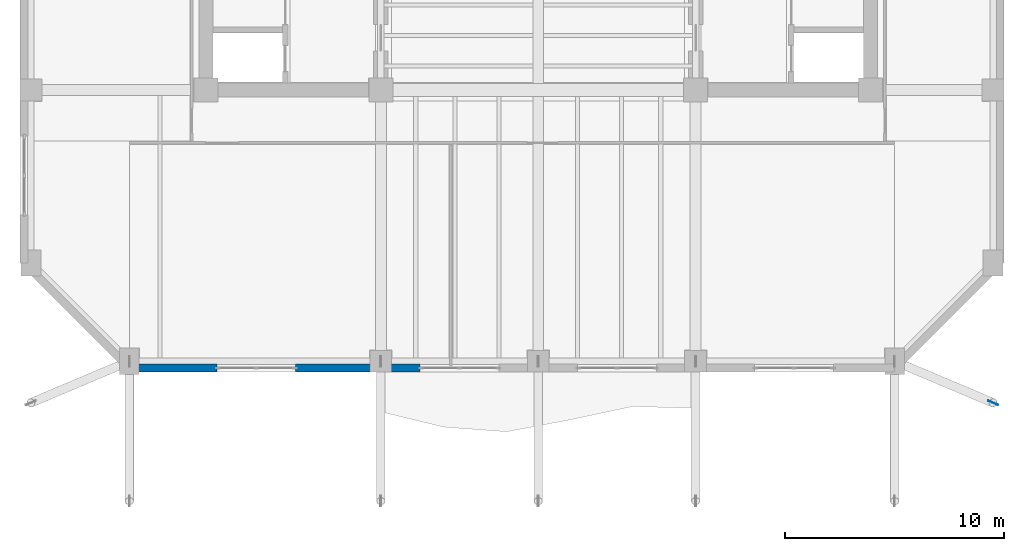
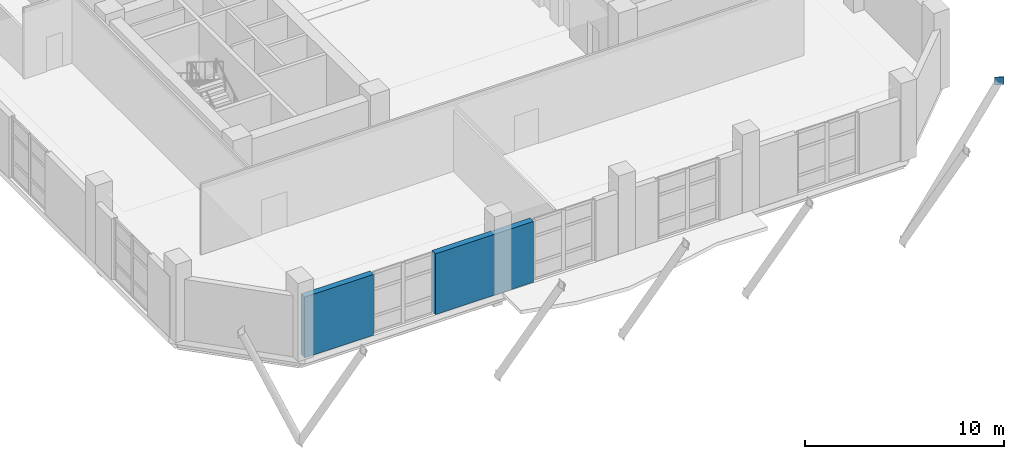
# One storey, part 8 of 16: 2 walls, 1 plate.
"""IFC4 building model written with IfcOpenShell, lengths in metres."""

import ifcopenshell
import ifcopenshell.guid

model = None  # the IFC model being written
_history = None  # IfcOwnerHistory: only IFC2X3 demands one
_inside = {}  # id of a spatial element -> (the spatial element, [elements in it])
_under = {}  # id of a project, library or spatial element -> (it, [spatial elements below it])
_declared = {}  # id of a project -> (the project, [libraries it declares])
_typed = {}  # id of a type object -> (the type object, [elements of that type])
_made_of = {}  # id of a material, layer set ... -> (it, [elements and type objects made of it])


def new_model(schema):
    """Start an empty IFC model of exactly this schema.

    Asked for "IFC4X3", IfcOpenShell would pick the latest addendum, in which some entities
    have other attributes; the version numbers below select the first issue.
    IFC2X3 requires an IfcOwnerHistory on every rooted entity: one is made here for all.
    """
    global model, _history
    if schema == "IFC4X3":
        model = ifcopenshell.file(schema_version=(4, 3, 0, 0))
    else:
        model = ifcopenshell.file(schema=schema)
    _inside.clear()
    _under.clear()
    _declared.clear()
    _typed.clear()
    _made_of.clear()
    _history = None
    if model.schema == "IFC2X3":
        org = make("IfcOrganization", Name="unknown")
        user = make(
            "IfcPersonAndOrganization",
            ThePerson=make("IfcPerson", FamilyName="unknown"),
            TheOrganization=org,
        )
        app = make(
            "IfcApplication",
            ApplicationDeveloper=org,
            Version="unknown",
            ApplicationFullName="unknown",
            ApplicationIdentifier="unknown",
        )
        _history = make(
            "IfcOwnerHistory",
            OwningUser=user,
            OwningApplication=app,
            ChangeAction="ADDED",
            CreationDate=0,
        )
    return model


def make(cls, **values):
    """One entity of the class cls with the attributes given. An attribute that is None is left unset."""
    return model.create_entity(
        cls, **{name: value for name, value in values.items() if value is not None}
    )


def rooted(cls, **values):
    """An entity with a GlobalId (a new one), such as an element, a storey or a relation."""
    return make(cls, GlobalId=ifcopenshell.guid.new(), OwnerHistory=_history, **values)


def si_unit(unit_type, name, prefix=None):
    """IfcSIUnit, for example si_unit("LENGTHUNIT", "METRE", prefix="MILLI")."""
    return make("IfcSIUnit", UnitType=unit_type, Prefix=prefix, Name=name)


def assignment(units):
    """IfcUnitAssignment: the units of a project."""
    return None if units is None else make("IfcUnitAssignment", Units=units)


def point(xyz):
    """IfcCartesianPoint."""
    return None if xyz is None else make("IfcCartesianPoint", Coordinates=xyz)


def direction(xyz):
    """IfcDirection."""
    return None if xyz is None else make("IfcDirection", DirectionRatios=xyz)


def frame(location, z_axis=None, x_axis=None):
    """IfcAxis2Placement3D, a coordinate frame: its origin and axes. An axis left out is left unset."""
    return make(
        "IfcAxis2Placement3D",
        Location=point(location),
        Axis=direction(z_axis),
        RefDirection=direction(x_axis),
    )


def frame_2d(location, x_axis=None):
    """IfcAxis2Placement2D, a coordinate frame in the plane: its origin and x axis."""
    return make(
        "IfcAxis2Placement2D", Location=point(location), RefDirection=direction(x_axis)
    )


def origin():
    """The frame at (0, 0, 0) with its axes left unset."""
    return frame((0.0, 0.0, 0.0))


def origin_2d():
    """The frame at (0, 0) in the plane with its x axis left unset."""
    return frame_2d((0.0, 0.0))


def place(relative_to, where):
    """IfcLocalPlacement: puts the frame where relative to a parent placement (None: the world)."""
    return make(
        "IfcLocalPlacement", PlacementRelTo=relative_to, RelativePlacement=where
    )


def context(
    kind, dimensions, precision=None, world=None, true_north=None, identifier=None
):
    """IfcGeometricRepresentationContext, for example the 3D "Model" context."""
    return make(
        "IfcGeometricRepresentationContext",
        ContextIdentifier=identifier,
        ContextType=kind,
        CoordinateSpaceDimension=dimensions,
        Precision=precision,
        WorldCoordinateSystem=world,
        TrueNorth=true_north,
    )


def subcontext(parent, identifier, kind, view, scale=None):
    """IfcGeometricRepresentationSubContext, for example "Body" below "Model"."""
    return make(
        "IfcGeometricRepresentationSubContext",
        ContextIdentifier=identifier,
        ContextType=kind,
        ParentContext=parent,
        TargetScale=scale,
        TargetView=view,
    )


def project(units=None, contexts=None):
    """IfcProject with its units and contexts."""
    return rooted(
        "IfcProject",
        Name="project",
        RepresentationContexts=contexts,
        UnitsInContext=assignment(units),
    )


def spatial(cls, under=None, at=None, **own):
    """A site, building, storey or space (cls), placed at a placement, below another one or the project."""
    s = rooted(cls, ObjectPlacement=at, **own)
    if under is not None:
        _under.setdefault(under.id(), (under, []))[1].append(s)
    return s


def profile(cls, at=None, kind="AREA", **sizes):
    """A parametric profile (cls). Its sizes go by their IFC names, for example OverallWidth=200.0."""
    return make(cls, ProfileType=kind, Position=at, **sizes)


def rectangle(**sizes):
    """IfcRectangleProfileDef."""
    return profile("IfcRectangleProfileDef", **sizes)


def extrude(swept, where, along, depth):
    """IfcExtrudedAreaSolid: the profile swept, set in the frame where, extruded along a direction by depth."""
    return make(
        "IfcExtrudedAreaSolid",
        SweptArea=swept,
        Position=where,
        ExtrudedDirection=direction(along),
        Depth=depth,
    )


def shape(context_of_items, identifier, shape_type, items):
    """IfcShapeRepresentation: the items that make up one representation, for example the "Body"."""
    return make(
        "IfcShapeRepresentation",
        ContextOfItems=context_of_items,
        RepresentationIdentifier=identifier,
        RepresentationType=shape_type,
        Items=items,
    )


def material(Name=None, Category=None):
    """IfcMaterial."""
    return make("IfcMaterial", Name=Name, Category=Category)


def layer(
    of_material, thickness, ventilated=None, Name=None, Category=None, Priority=None
):
    """IfcMaterialLayer: one layer of a wall or slab, of a material (None: an air gap)."""
    return make(
        "IfcMaterialLayer",
        Material=of_material,
        LayerThickness=thickness,
        IsVentilated=ventilated,
        Name=Name,
        Category=Category,
        Priority=Priority,
    )


def layer_set(layers, Name=None):
    """IfcMaterialLayerSet."""
    return make("IfcMaterialLayerSet", MaterialLayers=layers, LayerSetName=Name)


def made_of(thing, what):
    """Note that an element or type object is made of a material, layer set ...; save() writes the relation."""
    if what is not None:
        _made_of.setdefault(what.id(), (what, []))[1].append(thing)
    return thing


def type_object(cls, material=None, **own):
    """A type object (cls), such as IfcWallType, which elements share."""
    return made_of(rooted(cls, **own), material)


def element(
    cls,
    number,
    at=None,
    inside=None,
    cuts=None,
    type_object=None,
    material=None,
    context=None,
    identifier="Body",
    shape_type=None,
    held_by="IfcProductDefinitionShape",
    body=None,
    shapes=None,
    **own,
):
    """One element of the class cls, such as IfcWall. Its Tag is "e" and its number.

    at: its placement. inside: the storey or other place that contains it. cuts: it is an
    opening in that element (IfcRelVoidsElement). A single representation is given by context,
    identifier, shape_type and body (its items); several are given by shapes. held_by: the class
    of the entity that holds the representations. save() writes the other relations.
    """
    e = rooted(cls, Tag="e%d" % number, ObjectPlacement=at, **own)
    if body is not None:
        shapes = [shape(context, identifier, shape_type, body)]
    if shapes is not None:
        e.Representation = make(held_by, Representations=shapes)
    if inside is not None:
        _inside.setdefault(inside.id(), (inside, []))[1].append(e)
    if cuts is not None:
        rooted(
            "IfcRelVoidsElement", RelatingBuildingElement=cuts, RelatedOpeningElement=e
        )
    if type_object is not None:
        _typed.setdefault(type_object.id(), (type_object, []))[1].append(e)
    return made_of(e, material)


def aggregate(whole, parts):
    """IfcRelAggregates: a whole, such as a stair, and the parts it consists of."""
    return rooted("IfcRelAggregates", RelatingObject=whole, RelatedObjects=parts)


def save(model, path):
    """Write the relations noted so far, then the file.

    IfcRelAggregates (storeys below a building ...), IfcRelContainedInSpatialStructure (elements
    in a storey), IfcRelDefinesByType, IfcRelAssociatesMaterial and IfcRelDeclares: one each for
    every whole, place, type object, material and project.
    """
    for whole, parts in _under.values():
        aggregate(whole, parts)
    for where, things in _inside.values():
        rooted(
            "IfcRelContainedInSpatialStructure",
            RelatedElements=things,
            RelatingStructure=where,
        )
    for kind, things in _typed.values():
        rooted("IfcRelDefinesByType", RelatedObjects=things, RelatingType=kind)
    for what, things in _made_of.values():
        rooted("IfcRelAssociatesMaterial", RelatedObjects=things, RelatingMaterial=what)
    for by, libraries in _declared.values():
        rooted("IfcRelDeclares", RelatingContext=by, RelatedDefinitions=libraries)
    model.write(path)


model = new_model("IFC4")

# Units and contexts
model_context = context("Model", 3, precision=1e-05, world=origin(), true_north=direction((0.0, 1.0)))
body_context = subcontext(model_context, "Body", "Model", "MODEL_VIEW")
ifc_project = project(units=[si_unit("LENGTHUNIT", "METRE"), si_unit("AREAUNIT", "SQUARE_METRE"), si_unit("VOLUMEUNIT", "CUBIC_METRE"), si_unit("PLANEANGLEUNIT", "RADIAN"), si_unit("MASSUNIT", "GRAM", prefix="KILO")], contexts=[model_context])

# Site, building, storey
site_placement = place(None, origin())
site = spatial("IfcSite", under=ifc_project, at=site_placement, CompositionType="ELEMENT")
building_placement = place(site_placement, origin())
building = spatial("IfcBuilding", under=site, at=building_placement, Name="Kranthara Brick Stack", CompositionType="ELEMENT")
storey_placement = place(building_placement, frame((0.0, 0.0, 115.5)))
storey = spatial("IfcBuildingStorey", under=building, at=storey_placement, Name="L28", CompositionType="ELEMENT", Elevation=115.5)

# Plate
ifc_material_1 = material(Name="Steel S355", Category="steel")
ifc_layer_1 = layer(ifc_material_1, 0.030029296875)
ifc_layer_set_1 = layer_set([ifc_layer_1], Name="Steel S355")
plate_type = type_object("IfcPlateType", Name="PLT-GUSSET-30", PredefinedType="USERDEFINED", material=ifc_layer_set_1)
plate_placement = place(storey_placement, frame((48.800048828125, 6.5, 3.81005859375), z_axis=(0.0, 0.0, 1.0), x_axis=(-0.921185405566, 0.38912395014, 0.0)))
element("IfcPlate", 1, at=plate_placement, inside=storey, type_object=plate_type, Name="L28 Brace and Strut End Connection Gusset Plate 056", ObjectType="GUSSET PLATE", PredefinedType="USERDEFINED", context=body_context, shape_type="SweptSolid", body=[
    extrude(rectangle(XDim=0.47998046875, YDim=0.030029296875, at=origin_2d()), origin(), (0.0, 0.0, 1.0), 0.47998046875),
])

# Walls
ifc_material_2 = material(Name="Kiln-fired clay brick masonry M15", Category="masonry")
ifc_layer_2 = layer(ifc_material_2, 0.35009765625)
ifc_layer_set_2 = layer_set([ifc_layer_2], Name="Kiln-fired clay brick masonry M15")
wall_type = type_object("IfcWallType", Name="WL-BRK-SPND-350", PredefinedType="STANDARD", material=ifc_layer_set_2)
wall_1_placement = place(storey_placement, frame((22.60009765625, 8.094970703125, 0.0), z_axis=(0.0, 0.0, 1.0), x_axis=(-1.0, 0.0, 0.0)))
element("IfcWall", 2, at=wall_1_placement, inside=storey, type_object=wall_type, Name="L28 Exterior Brick Facade Wall SOUTH 4", PredefinedType="STANDARD", context=body_context, shape_type="SweptSolid", body=[
    extrude(rectangle(XDim=5.7001953125, YDim=0.35009765625, at=frame_2d((2.85009765625, 0.0))), origin(), (0.0, 0.0, 1.0), 3.735107421875),
])
wall_2_placement = place(storey_placement, frame((13.300048828125, 8.094970703125, 0.0), z_axis=(0.0, 0.0, 1.0), x_axis=(-1.0, 0.0, 0.0)))
element("IfcWall", 3, at=wall_2_placement, inside=storey, type_object=wall_type, Name="L28 Exterior Brick Facade Wall SOUTH 5", PredefinedType="STANDARD", context=body_context, shape_type="SweptSolid", body=[
    extrude(rectangle(XDim=4.0, YDim=0.35009765625, at=frame_2d((2.0, 0.0))), origin(), (0.0, 0.0, 1.0), 3.735107421875),
])

save(model, "model.ifc")
